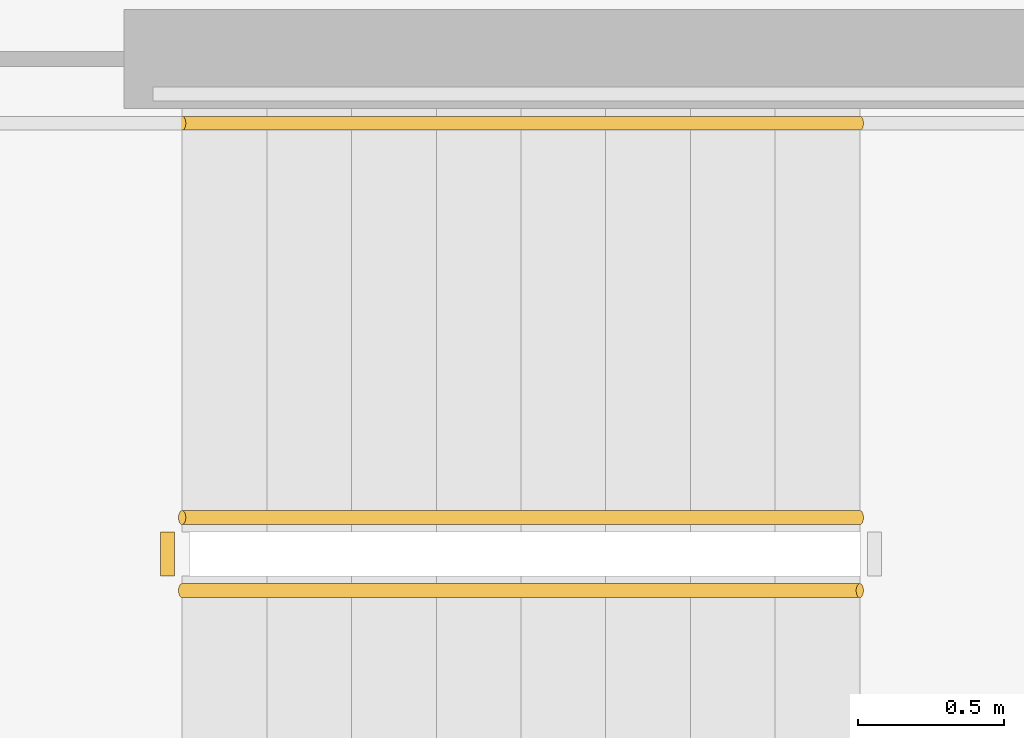
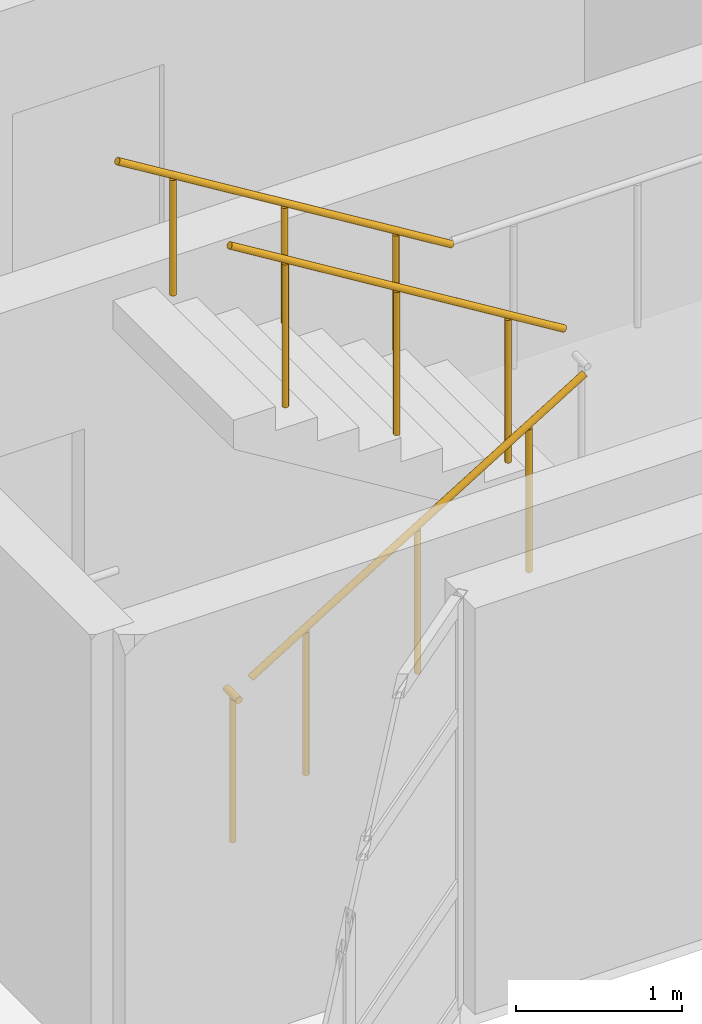
# One storey, part 80 of 89: 4 railings.
"""IFC4 building model written with IfcOpenShell, lengths in metres."""

from ifc_helpers import new_model, si_unit, direction, frame, origin, origin_2d, place, context, subcontext, project, spatial, circle, extrude, material, type_object, element, save


model = new_model("IFC4")

# Units and contexts
model_context = context("Model", 3, precision=1e-05, world=origin(), true_north=direction((0.0, 1.0)))
body_context = subcontext(model_context, "Body", "Model", "MODEL_VIEW")
ifc_project = project(units=[si_unit("LENGTHUNIT", "METRE"), si_unit("AREAUNIT", "SQUARE_METRE"), si_unit("VOLUMEUNIT", "CUBIC_METRE"), si_unit("PLANEANGLEUNIT", "RADIAN"), si_unit("MASSUNIT", "GRAM", prefix="KILO")], contexts=[model_context])

# Site, building, storey
site_placement = place(None, origin())
site = spatial("IfcSite", under=ifc_project, at=site_placement, CompositionType="ELEMENT")
building_placement = place(site_placement, origin())
building = spatial("IfcBuilding", under=site, at=building_placement, Name="Keldmere Railside Commons", CompositionType="ELEMENT")
storey_placement = place(building_placement, frame((0.0, 0.0, 7.360107421875)))
storey = spatial("IfcBuildingStorey", under=building, at=storey_placement, Name="L02", CompositionType="ELEMENT", Elevation=7.360107421875)

# Railings
ifc_material = material(Name="Steel F-24 (S235)", Category="steel")
railing_type_1 = type_object("IfcRailingType", Name="Stair Well Steel Guardrail 1100", PredefinedType="BALUSTRADE", material=ifc_material)
railing_1_placement = place(storey_placement, frame((131.699951171875, 102.0, 0.177734375)))
element("IfcRailing", 1, at=railing_1_placement, inside=storey, type_object=railing_type_1, Name="L02 ST-B2 stair guard 1", PredefinedType="BALUSTRADE", context=body_context, shape_type="SweptSolid", body=[
    extrude(circle(Radius=0.02392578125, at=origin_2d()), frame((0.0, 0.0, 1.076171875), z_axis=(0.852578041948, 0.0, 0.522599925744), x_axis=(0.0, 1.0, 0.0)), (0.0, 0.0, 1.0), 2.72119140625),
    extrude(circle(Radius=0.02099609375, at=origin_2d()), frame((0.38671875, 0.0, 0.237060546875)), (0.0, 0.0, 1.0), 1.048095703125),
    extrude(circle(Radius=0.02099609375, at=origin_2d()), frame((1.16015625, 0.0, 0.7109375)), (0.0, 0.0, 1.0), 1.048095703125),
    extrude(circle(Radius=0.02099609375, at=origin_2d()), frame((1.933349609375, 0.0, 1.18505859375)), (0.0, 0.0, 1.0), 1.048095703125),
])
railing_2_placement = place(storey_placement, frame((134.02001953125, 102.25, 1.777587890625)))
element("IfcRailing", 2, at=railing_2_placement, inside=storey, type_object=railing_type_1, Name="L02 ST-B2 stair guard 6", PredefinedType="BALUSTRADE", context=body_context, shape_type="SweptSolid", body=[
    extrude(circle(Radius=0.02392578125, at=origin_2d()), frame((0.0, 0.0, 1.076171875), z_axis=(-0.852538067394, 0.0, 0.522665135287), x_axis=(0.0, -1.0, 0.0)), (0.0, 0.0, 1.0), 2.721435546875),
    extrude(circle(Radius=0.02099609375, at=origin_2d()), frame((-0.38671875, 0.0, 0.237060546875)), (0.0, 0.0, 1.0), 1.048095703125),
    extrude(circle(Radius=0.02099609375, at=origin_2d()), frame((-1.16015625, 0.0, 0.711181640625)), (0.0, 0.0, 1.0), 1.048095703125),
    extrude(circle(Radius=0.02099609375, at=origin_2d()), frame((-1.933349609375, 0.0, 1.185302734375)), (0.0, 0.0, 1.0), 1.048095703125),
])
railing_3_placement = place(storey_placement, frame((131.64990234375, 102.050048828125, 0.0)))
element("IfcRailing", 3, at=railing_3_placement, inside=storey, type_object=railing_type_1, Name="L02 ST-B2 stair guard 7", PredefinedType="BALUSTRADE", context=body_context, shape_type="SweptSolid", body=[
    extrude(circle(Radius=0.02392578125, at=origin_2d()), frame((0.0, 0.0, 1.076171875), z_axis=(0.0, 1.0, 0.0), x_axis=(-1.0, 0.0, 0.0)), (0.0, 0.0, 1.0), 0.14990234375),
    extrude(circle(Radius=0.02099609375, at=origin_2d()), frame((0.0, 0.074951171875, 0.0)), (0.0, 0.0, 1.0), 1.048095703125),
])
railing_type_2 = type_object("IfcRailingType", Name="Wall-Mounted Tubular Steel Handrail 900", PredefinedType="HANDRAIL", material=ifc_material)
railing_4_placement = place(storey_placement, frame((134.02001953125, 103.60009765625, 1.777587890625)))
element("IfcRailing", 4, at=railing_4_placement, inside=storey, type_object=railing_type_2, Name="L02 ST-B2 stair handrail 2", PredefinedType="HANDRAIL", context=body_context, shape_type="SweptSolid", body=[
    extrude(circle(Radius=0.02392578125, at=origin_2d()), frame((0.0, 0.0, 0.8759765625), z_axis=(-0.852538067394, 0.0, 0.522665135287), x_axis=(0.0, -1.0, 0.0)), (0.0, 0.0, 1.0), 2.721435546875),
    extrude(circle(Radius=0.02099609375, at=origin_2d()), frame((-0.38671875, 0.0, 0.237060546875)), (0.0, 0.0, 1.0), 0.847900390625),
    extrude(circle(Radius=0.02099609375, at=origin_2d()), frame((-1.16015625, 0.0, 0.711181640625)), (0.0, 0.0, 1.0), 0.847900390625),
    extrude(circle(Radius=0.02099609375, at=origin_2d()), frame((-1.933349609375, 0.0, 1.185302734375)), (0.0, 0.0, 1.0), 0.847900390625),
])

save(model, "model.ifc")
